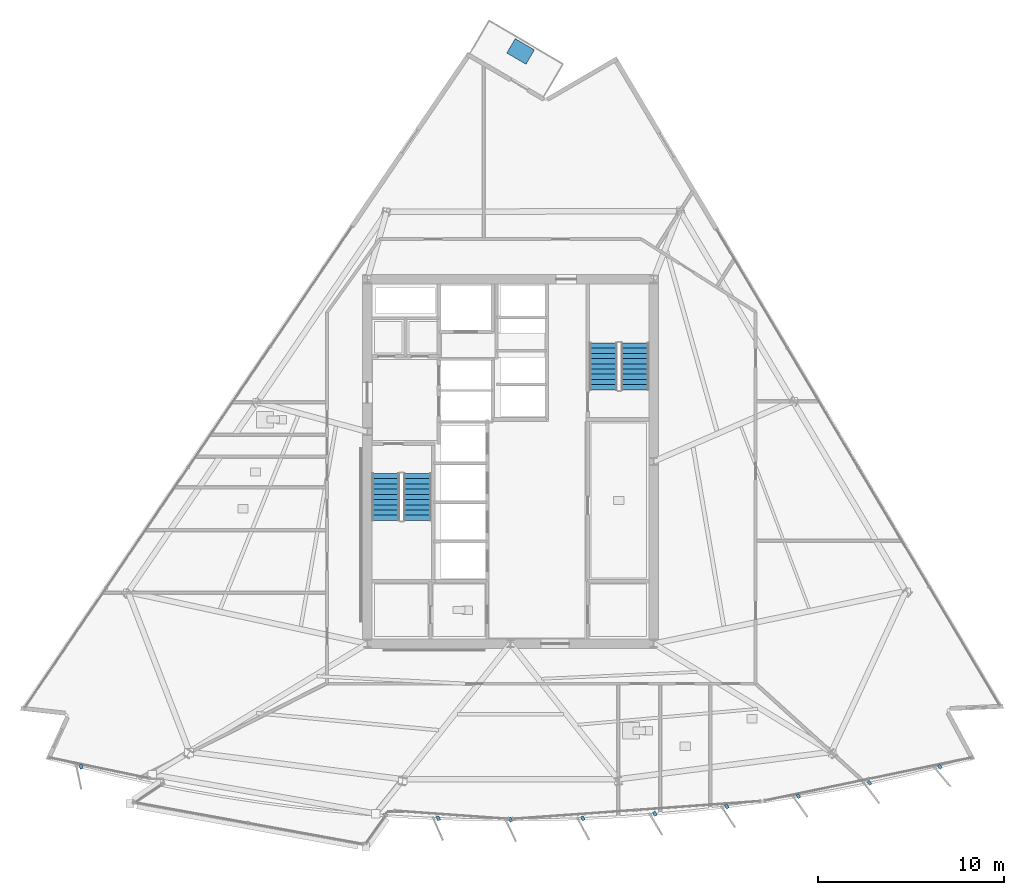
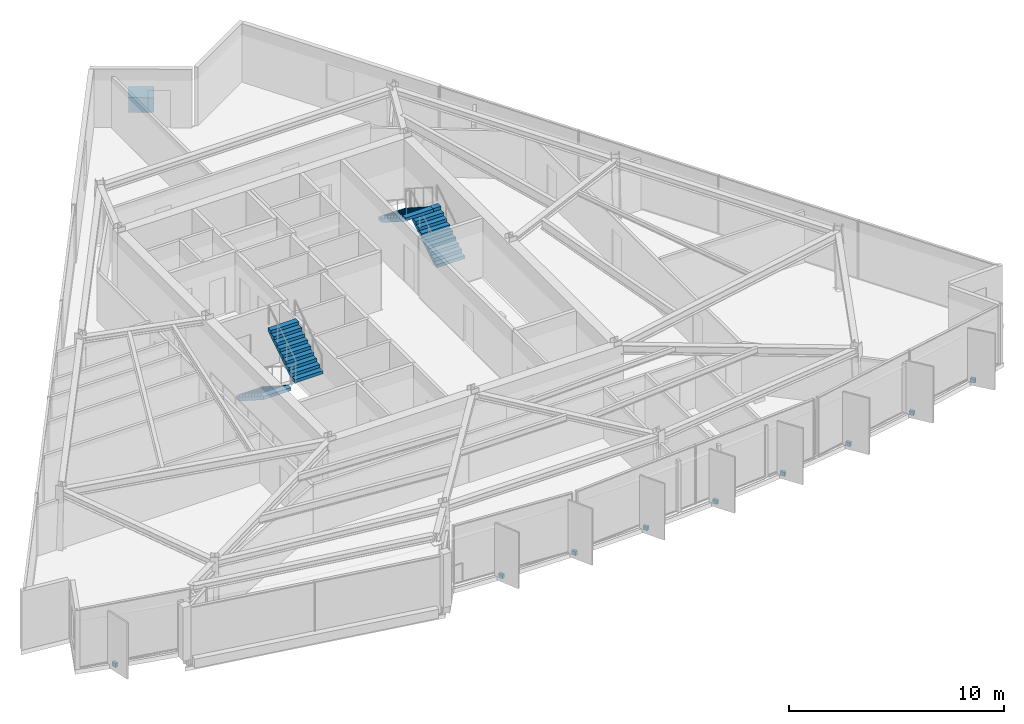
# One storey, part 10 of 14: 10 discrete accessories, 4 stair flights, 2 elements without a shape of their own.
"""IFC4 building model written with IfcOpenShell, lengths in metres."""

from ifc_helpers import new_model, si_unit, direction, frame, origin, origin_2d, place, context, subcontext, project, spatial, polyline, rectangle, outline, extrude, material, type_object, element, aggregate, save


model = new_model("IFC4")

# Units and contexts
model_context = context("Model", 3, precision=1e-05, world=origin(), true_north=direction((0.0, 1.0)))
body_context = subcontext(model_context, "Body", "Model", "MODEL_VIEW")
ifc_project = project(units=[si_unit("LENGTHUNIT", "METRE"), si_unit("AREAUNIT", "SQUARE_METRE"), si_unit("VOLUMEUNIT", "CUBIC_METRE"), si_unit("PLANEANGLEUNIT", "RADIAN"), si_unit("MASSUNIT", "GRAM", prefix="KILO")], contexts=[model_context])

# Site, building, storey
site_placement = place(None, origin())
site = spatial("IfcSite", under=ifc_project, at=site_placement, CompositionType="ELEMENT")
building_placement = place(site_placement, origin())
building = spatial("IfcBuilding", under=site, at=building_placement, Name="Savorim Split Tower", CompositionType="ELEMENT")
storey_placement = place(building_placement, frame((0.0, 0.0, 178.199951171875)))
storey = spatial("IfcBuildingStorey", under=building, at=storey_placement, Name="L47", CompositionType="ELEMENT", Elevation=178.199951171875)

# Stair, stair flights
ifc_material_1 = material(Name="Concrete C50/60", Category="concrete")
stair_type = type_object("IfcStairType", Name="STR-DOG-3600", PredefinedType="HALF_TURN_STAIR", material=ifc_material_1)
stair_1_placement = place(storey_placement, origin())
stair_1 = element("IfcStair", 1, at=stair_1_placement, inside=storey, type_object=stair_type, Name="L47 Core Protected Exit Stair ST-1", PredefinedType="HALF_TURN_STAIR")
stair_flight_type = type_object("IfcStairFlightType", Name="SFL-DOG-3600", PredefinedType="STRAIGHT", material=ifc_material_1)
stair_flight_1_placement = place(storey_placement, frame((-6.699951171875, -0.25, 0.0), z_axis=(0.0, 0.0, 1.0), x_axis=(0.0, -1.0, 0.0)))
stair_flight_1 = element("IfcStairFlight", 2, at=stair_flight_1_placement, type_object=stair_flight_type, Name="ST-1 flight 1", NumberOfRisers=10, NumberOfTreads=9, PredefinedType="STRAIGHT", RiserHeight=0.18, TreadLength=0.28, context=body_context, shape_type="SweptSolid", body=[
    extrude(outline(polyline([(0.0, 0.0), (0.0, 0.179931640625), (0.280029296875, 0.179931640625), (0.280029296875, 0.360107421875), (0.56005859375, 0.360107421875), (0.56005859375, 0.5400390625), (0.840087890625, 0.5400390625), (0.840087890625, 0.719970703125), (1.1201171875, 0.719970703125), (1.1201171875, 0.89990234375), (1.39990234375, 0.89990234375), (1.39990234375, 1.080078125), (1.679931640625, 1.080078125), (1.679931640625, 1.260009765625), (1.9599609375, 1.260009765625), (1.9599609375, 1.43994140625), (2.239990234375, 1.43994140625), (2.239990234375, 1.6201171875), (2.52001953125, 1.6201171875), (2.52001953125, 1.800048828125), (2.52001953125, 1.44189453125), (0.277099609375, 0.0), (0.0, 0.0)])), frame((0.0, 0.75, 0.0), z_axis=(0.0, -1.0, 0.0), x_axis=(1.0, 0.0, 0.0)), (0.0, 0.0, 1.0), 1.5),
])
stair_flight_2_placement = place(storey_placement, frame((-5.0, -2.77001953125, 1.800048828125), z_axis=(0.0, 0.0, 1.0), x_axis=(0.0, 1.0, 0.0)))
stair_flight_2 = element("IfcStairFlight", 3, at=stair_flight_2_placement, type_object=stair_flight_type, Name="ST-1 flight 2", NumberOfRisers=10, NumberOfTreads=9, PredefinedType="STRAIGHT", RiserHeight=0.18, TreadLength=0.28, context=body_context, shape_type="SweptSolid", body=[
    extrude(outline(polyline([(0.0, 0.0), (0.0, 0.179931640625), (0.280029296875, 0.179931640625), (0.280029296875, 0.360107421875), (0.56005859375, 0.360107421875), (0.56005859375, 0.5400390625), (0.840087890625, 0.5400390625), (0.840087890625, 0.719970703125), (1.1201171875, 0.719970703125), (1.1201171875, 0.89990234375), (1.39990234375, 0.89990234375), (1.39990234375, 1.080078125), (1.679931640625, 1.080078125), (1.679931640625, 1.260009765625), (1.9599609375, 1.260009765625), (1.9599609375, 1.43994140625), (2.239990234375, 1.43994140625), (2.239990234375, 1.6201171875), (2.52001953125, 1.6201171875), (2.52001953125, 1.800048828125), (2.52001953125, 1.44189453125), (0.277099609375, 0.0), (0.0, 0.0)])), frame((0.0, 0.75, 0.0), z_axis=(0.0, -1.0, 0.0), x_axis=(1.0, 0.0, 0.0)), (0.0, 0.0, 1.0), 1.5),
])
aggregate(stair_1, [stair_flight_1, stair_flight_2])

stair_2_placement = place(storey_placement, origin())
stair_2 = element("IfcStair", 4, at=stair_2_placement, inside=storey, type_object=stair_type, Name="L47 Core Protected Exit Stair ST-2", PredefinedType="HALF_TURN_STAIR")
stair_flight_3_placement = place(storey_placement, frame((6.699951171875, 4.25, 0.0), z_axis=(0.0, 0.0, 1.0), x_axis=(0.0, 1.0, 0.0)))
stair_flight_3 = element("IfcStairFlight", 5, at=stair_flight_3_placement, type_object=stair_flight_type, Name="ST-2 flight 1", NumberOfRisers=10, NumberOfTreads=9, PredefinedType="STRAIGHT", RiserHeight=0.18, TreadLength=0.28, context=body_context, shape_type="SweptSolid", body=[
    extrude(outline(polyline([(0.0, 0.0), (0.0, 0.179931640625), (0.280029296875, 0.179931640625), (0.280029296875, 0.360107421875), (0.56005859375, 0.360107421875), (0.56005859375, 0.5400390625), (0.840087890625, 0.5400390625), (0.840087890625, 0.719970703125), (1.1201171875, 0.719970703125), (1.1201171875, 0.89990234375), (1.39990234375, 0.89990234375), (1.39990234375, 1.080078125), (1.679931640625, 1.080078125), (1.679931640625, 1.260009765625), (1.9599609375, 1.260009765625), (1.9599609375, 1.43994140625), (2.239990234375, 1.43994140625), (2.239990234375, 1.6201171875), (2.52001953125, 1.6201171875), (2.52001953125, 1.800048828125), (2.52001953125, 1.44189453125), (0.277099609375, 0.0), (0.0, 0.0)])), frame((0.0, 0.75, 0.0), z_axis=(0.0, -1.0, 0.0), x_axis=(1.0, 0.0, 0.0)), (0.0, 0.0, 1.0), 1.5),
])
stair_flight_4_placement = place(storey_placement, frame((5.0, 6.77001953125, 1.800048828125), z_axis=(0.0, 0.0, 1.0), x_axis=(0.0, -1.0, 0.0)))
stair_flight_4 = element("IfcStairFlight", 6, at=stair_flight_4_placement, type_object=stair_flight_type, Name="ST-2 flight 2", NumberOfRisers=10, NumberOfTreads=9, PredefinedType="STRAIGHT", RiserHeight=0.18, TreadLength=0.28, context=body_context, shape_type="SweptSolid", body=[
    extrude(outline(polyline([(0.0, 0.0), (0.0, 0.179931640625), (0.280029296875, 0.179931640625), (0.280029296875, 0.360107421875), (0.56005859375, 0.360107421875), (0.56005859375, 0.5400390625), (0.840087890625, 0.5400390625), (0.840087890625, 0.719970703125), (1.1201171875, 0.719970703125), (1.1201171875, 0.89990234375), (1.39990234375, 0.89990234375), (1.39990234375, 1.080078125), (1.679931640625, 1.080078125), (1.679931640625, 1.260009765625), (1.9599609375, 1.260009765625), (1.9599609375, 1.43994140625), (2.239990234375, 1.43994140625), (2.239990234375, 1.6201171875), (2.52001953125, 1.6201171875), (2.52001953125, 1.800048828125), (2.52001953125, 1.44189453125), (0.277099609375, 0.0), (0.0, 0.0)])), frame((0.0, 0.75, 0.0), z_axis=(0.0, -1.0, 0.0), x_axis=(1.0, 0.0, 0.0)), (0.0, 0.0, 1.0), 1.5),
])
aggregate(stair_2, [stair_flight_3, stair_flight_4])

# Discrete accessories
ifc_material_2 = material(Name="Steel S355", Category="steel")
discrete_accessory_type_1 = type_object("IfcDiscreteAccessoryType", Name="ACC-BRK-FIN", PredefinedType="BRACKET", material=ifc_material_2)
for number, where, z_axis, x_axis, name in (
    (7, (-23.090576171875, -16.022705078125, -0.18994140625), (0.0, 0.0, 1.0), (0.206721626106, -0.978399800337, 0.0), "L47 Fin Slab-Edge Cleat Bracket 01"),
    (8, (-3.88623046875, -18.79248046875, -0.18994140625), (0.0, 0.0, 1.0), (0.401230091723, -0.915977299662, 0.0), "L47 Fin Slab-Edge Cleat Bracket 06"),
    (9, (0.0, -18.8720703125, -0.18994140625), (0.0, 0.0, 1.0), (0.438371146789, -0.898794046299, 0.0), "L47 Fin Slab-Edge Cleat Bracket 07"),
    (10, (3.88623046875, -18.79248046875, -0.18994140625), (0.0, 0.0, 1.0), (0.474778051978, -0.880105562623, 0.0), "L47 Fin Slab-Edge Cleat Bracket 08"),
    (11, (7.76611328125, -18.553955078125, -0.18994140625), (0.0, 0.0, 1.0), (0.510391336723, -0.859942255851, 0.0), "L47 Fin Slab-Edge Cleat Bracket 09"),
    (12, (11.6328125, -18.156982421875, -0.18994140625), (0.0, 0.0, 1.0), (0.545148321708, -0.838339613366, 0.0), "L47 Fin Slab-Edge Cleat Bracket 10"),
    (13, (15.47998046875, -17.60205078125, -0.18994140625), (0.0, 0.0, 1.0), (0.578993757737, -0.815331974414, 0.0), "L47 Fin Slab-Edge Cleat Bracket 11"),
    (14, (19.301513671875, -16.89013671875, -0.18994140625), (0.0, 0.0, 1.0), (0.611868076908, -0.790959832394, 0.0), "L47 Fin Slab-Edge Cleat Bracket 12"),
    (15, (23.090576171875, -16.022705078125, -0.18994140625), (0.0, 0.0, 1.0), (0.643719022682, -0.765261928909, 0.0), "L47 Fin Slab-Edge Cleat Bracket 13"),
):
    element("IfcDiscreteAccessory", number, at=place(storey_placement, frame(where, z_axis=z_axis, x_axis=x_axis)), inside=storey, type_object=discrete_accessory_type_1, Name=name, PredefinedType="BRACKET", context=body_context, shape_type="SweptSolid", body=[
        extrude(rectangle(XDim=0.239990234375, YDim=0.159912109375, at=origin_2d()), origin(), (0.0, 0.0, 1.0), 0.219970703125),
    ])
ifc_material_3 = material(Name="Architectural Precast Planter Concrete C40/50", Category="concrete")
discrete_accessory_type_2 = type_object("IfcDiscreteAccessoryType", Name="ACC-PLN-TREE", PredefinedType="USERDEFINED", material=ifc_material_3)
discrete_accessory_placement = place(storey_placement, frame((0.543212890625, 22.44921875, 0.0), z_axis=(0.0, 0.0, 1.0), x_axis=(-0.86212657758, 0.506692968404, 0.0)))
element("IfcDiscreteAccessory", 16, at=discrete_accessory_placement, inside=storey, type_object=discrete_accessory_type_2, Name="L47 Balcony Precast Tree Planter N", ObjectType="PLANTER", PredefinedType="USERDEFINED", context=body_context, shape_type="SweptSolid", body=[
    extrude(rectangle(XDim=1.199951171875, YDim=0.89990234375, at=origin_2d()), origin(), (0.0, 0.0, 1.0), 0.85009765625),
])

save(model, "model.ifc")
